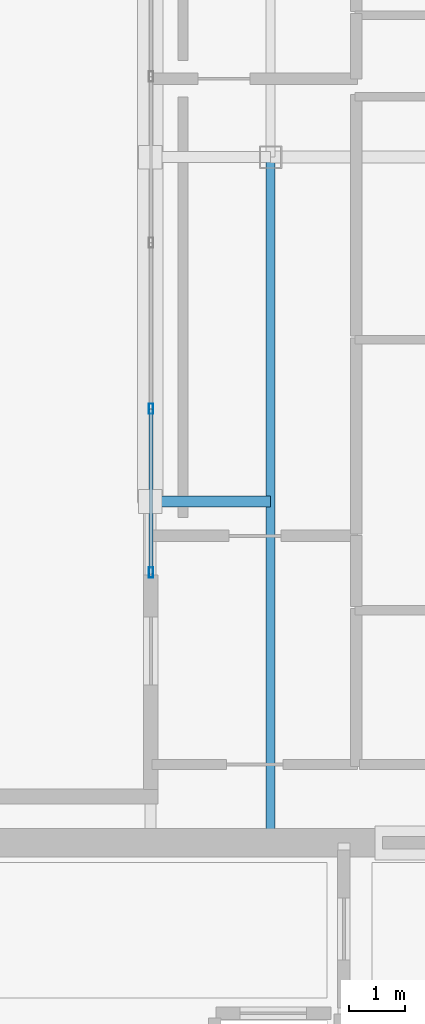
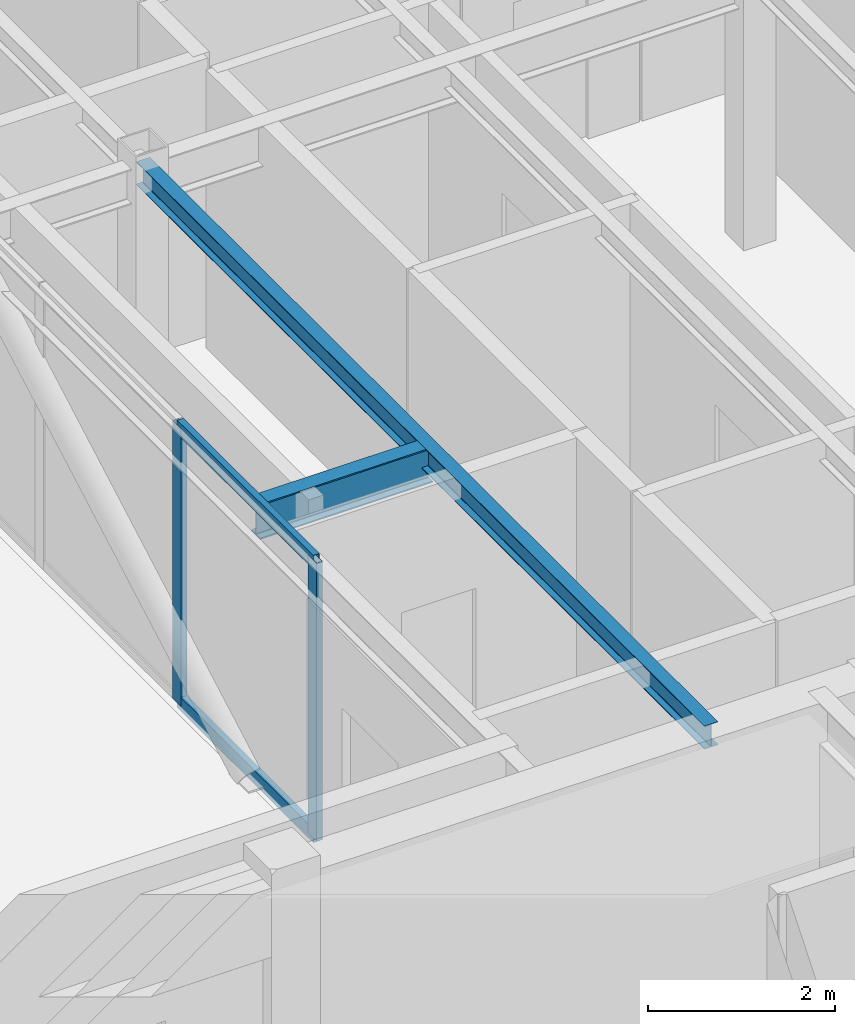
# One storey, part 5 of 14: 4 members, 2 beams, 1 element without a shape of its own.
"""IFC4 building model written with IfcOpenShell, lengths in metres."""

from ifc_helpers import new_model, si_unit, direction, frame, origin, origin_2d, place, context, subcontext, project, spatial, hollow_rectangle, i_section, extrude, material, material_profile, profile_set, type_object, element, aggregate, save


model = new_model("IFC4")

# Units and contexts
model_context = context("Model", 3, precision=1e-05, world=origin(), true_north=direction((0.0, 1.0)))
body_context = subcontext(model_context, "Body", "Model", "MODEL_VIEW")
ifc_project = project(units=[si_unit("LENGTHUNIT", "METRE"), si_unit("AREAUNIT", "SQUARE_METRE"), si_unit("VOLUMEUNIT", "CUBIC_METRE"), si_unit("PLANEANGLEUNIT", "RADIAN"), si_unit("MASSUNIT", "GRAM", prefix="KILO")], contexts=[model_context])

# Site, building, storey
site_placement = place(None, origin())
site = spatial("IfcSite", under=ifc_project, at=site_placement, CompositionType="ELEMENT")
building_placement = place(site_placement, origin())
building = spatial("IfcBuilding", under=site, at=building_placement, Name="Ventersveld Concourse Tower", CompositionType="ELEMENT")
storey_placement = place(building_placement, frame((0.0, 0.0, 337.5)))
storey = spatial("IfcBuildingStorey", under=building, at=storey_placement, Name="L83", CompositionType="ELEMENT", Elevation=337.5)

# Beam
ifc_material_1 = material(Name="Structural steel S355J2", Category="steel")
ifc_material_profile_1 = material_profile(ifc_material_1, i_section(OverallWidth=0.1650390625, OverallDepth=0.303466796875, WebThickness=0.006103515625, FlangeThickness=0.01025390625, FilletRadius=0.0087890625, at=origin_2d()), Name="UB 305x165x40")
ifc_profile_set_1 = profile_set([ifc_material_profile_1], Name="Structural steel S355J2")
beam_type_1 = type_object("IfcBeamType", Name="BM-UB305", PredefinedType="BEAM", material=ifc_profile_set_1)
beam_1_placement = place(storey_placement, frame((36.25, 11.449951171875, 3.478271484375), z_axis=(0.0, 1.0, 0.0), x_axis=(-1.0, 0.0, 0.0)))
element("IfcBeam", 1, at=beam_1_placement, inside=storey, type_object=beam_type_1, Name="L83 N-S Composite Floor Beam South X=36.25", PredefinedType="BEAM", context=body_context, shape_type="SweptSolid", body=[
    extrude(i_section(OverallWidth=0.1650390625, OverallDepth=0.303466796875, WebThickness=0.006103515625, FlangeThickness=0.01025390625, FilletRadius=0.0087890625, at=origin_2d()), origin(), (0.0, 0.0, 1.0), 12.150146484375),
])

# Curtain wall, members
ifc_material_2 = material(Name="Anodised aluminium EN AW-6063-T6", Category="aluminium")
curtain_wall_type = type_object("IfcCurtainWallType", Name="CW-WP-5", PredefinedType="NOTDEFINED", material=ifc_material_2)
curtain_wall_placement = place(storey_placement, origin())
curtain_wall = element("IfcCurtainWall", 2, at=curtain_wall_placement, inside=storey, type_object=curtain_wall_type, Name="L83 L83 Wind Portal Aerodynamic Cheek Curtain Wall", PredefinedType="NOTDEFINED")
ifc_material_profile_2 = material_profile(ifc_material_2, hollow_rectangle(XDim=0.074951171875, YDim=0.179931640625, WallThickness=0.00390625, at=origin_2d()), Name="ALU 180x75x4")
ifc_profile_set_2 = profile_set([ifc_material_profile_2], Name="Anodised aluminium EN AW-6063-T6")
member_type_1 = type_object("IfcMemberType", Name="CWM-180x75", PredefinedType="MULLION", material=ifc_profile_set_2)
member_1_placement = place(storey_placement, frame((34.1298828125, 16.239990234375, 0.0), z_axis=(0.0, 0.0, 1.0), x_axis=(1.0, 0.0, 0.0)))
member_1 = element("IfcMember", 3, at=member_1_placement, type_object=member_type_1, Name="CW-L83-WP-E Mullion 01", PredefinedType="MULLION", context=body_context, shape_type="SweptSolid", body=[
    extrude(hollow_rectangle(XDim=0.074951171875, YDim=0.179931640625, WallThickness=0.00390625, at=origin_2d()), origin(), (0.0, 0.0, 1.0), 3.6298828125),
])
member_2_placement = place(storey_placement, frame((34.1298828125, 19.142822265625, 0.0), z_axis=(0.0, 0.0, 1.0), x_axis=(1.0, 0.0, 0.0)))
member_2 = element("IfcMember", 4, at=member_2_placement, type_object=member_type_1, Name="CW-L83-WP-E Mullion 02", PredefinedType="MULLION", context=body_context, shape_type="SweptSolid", body=[
    extrude(hollow_rectangle(XDim=0.074951171875, YDim=0.179931640625, WallThickness=0.00390625, at=origin_2d()), origin(), (0.0, 0.0, 1.0), 3.6298828125),
])
ifc_material_profile_3 = material_profile(ifc_material_2, hollow_rectangle(XDim=0.074951171875, YDim=0.179931640625, WallThickness=0.00390625, at=origin_2d()), Name="ALU 180x75x4")
ifc_profile_set_3 = profile_set([ifc_material_profile_3], Name="Anodised aluminium EN AW-6063-T6")
member_type_2 = type_object("IfcMemberType", Name="CWT-180x75", PredefinedType="USERDEFINED", material=ifc_profile_set_3)
member_3_placement = place(storey_placement, frame((34.1298828125, 16.219970703125, 0.030029296875), z_axis=(0.0, 1.0, 0.0), x_axis=(-1.0, 0.0, 0.0)))
member_3 = element("IfcMember", 5, at=member_3_placement, type_object=member_type_2, Name="CW-L83-WP-E Transom 1-01", ObjectType="TRANSOM", PredefinedType="USERDEFINED", context=body_context, shape_type="SweptSolid", body=[
    extrude(hollow_rectangle(XDim=0.074951171875, YDim=0.179931640625, WallThickness=0.00390625, at=origin_2d()), origin(), (0.0, 0.0, 1.0), 2.912841796875),
])
member_4_placement = place(storey_placement, frame((34.1298828125, 16.219970703125, 3.60009765625), z_axis=(0.0, 1.0, 0.0), x_axis=(-1.0, 0.0, 0.0)))
member_4 = element("IfcMember", 6, at=member_4_placement, type_object=member_type_2, Name="CW-L83-WP-E Transom 2-01", ObjectType="TRANSOM", PredefinedType="USERDEFINED", context=body_context, shape_type="SweptSolid", body=[
    extrude(hollow_rectangle(XDim=0.074951171875, YDim=0.179931640625, WallThickness=0.00390625, at=origin_2d()), origin(), (0.0, 0.0, 1.0), 2.912841796875),
])
aggregate(curtain_wall, [member_1, member_2, member_3, member_4])

# Beam
ifc_material_profile_4 = material_profile(ifc_material_1, i_section(OverallWidth=0.19140625, OverallDepth=0.4599609375, WebThickness=0.010009765625, FlangeThickness=0.01611328125, FilletRadius=0.01025390625, at=origin_2d()), Name="UB 457x191x82")
ifc_profile_set_4 = profile_set([ifc_material_profile_4], Name="Structural steel S355J2")
beam_type_2 = type_object("IfcBeamType", Name="SPD-UB457", PredefinedType="SPANDREL", material=ifc_profile_set_4)
beam_2_placement = place(storey_placement, frame((34.1201171875, 17.5, 3.39990234375), z_axis=(1.0, 0.0, 0.0), x_axis=(0.0, 1.0, 0.0)))
element("IfcBeam", 7, at=beam_2_placement, inside=storey, type_object=beam_type_2, Name="L83 Wind Portal East Tie YM", PredefinedType="SPANDREL", context=body_context, shape_type="SweptSolid", body=[
    extrude(i_section(OverallWidth=0.19140625, OverallDepth=0.4599609375, WebThickness=0.010009765625, FlangeThickness=0.01611328125, FilletRadius=0.01025390625, at=origin_2d()), origin(), (0.0, 0.0, 1.0), 2.1298828125),
])

save(model, "model.ifc")
